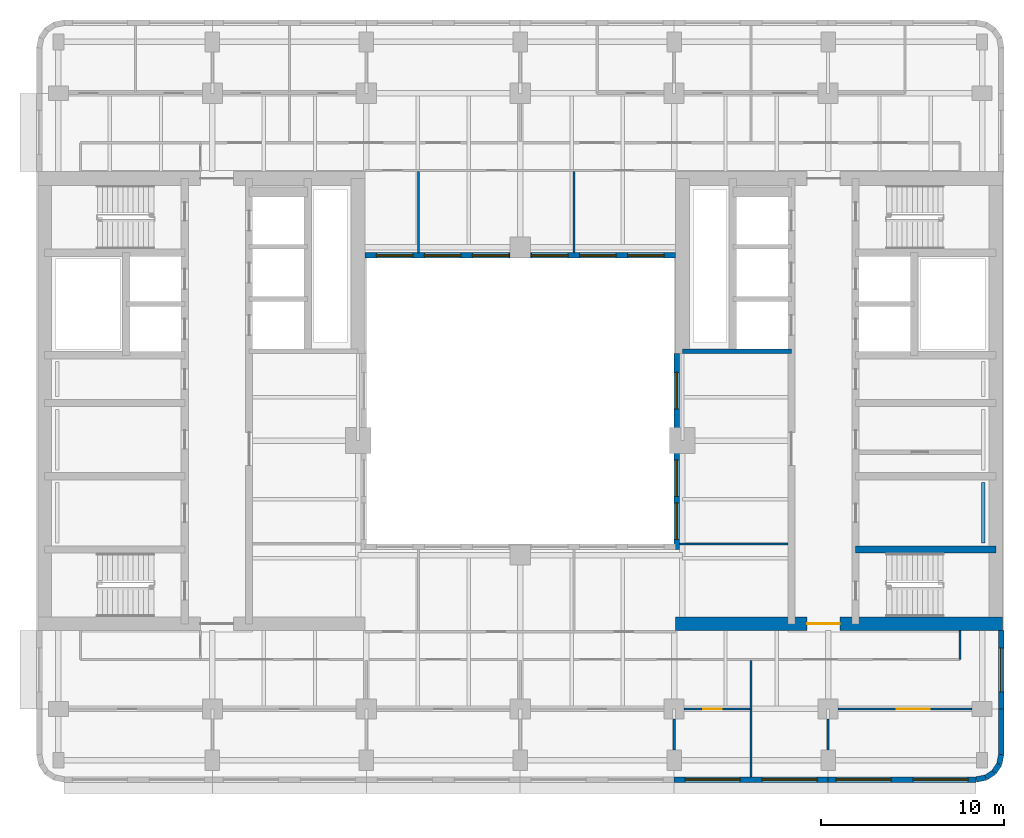
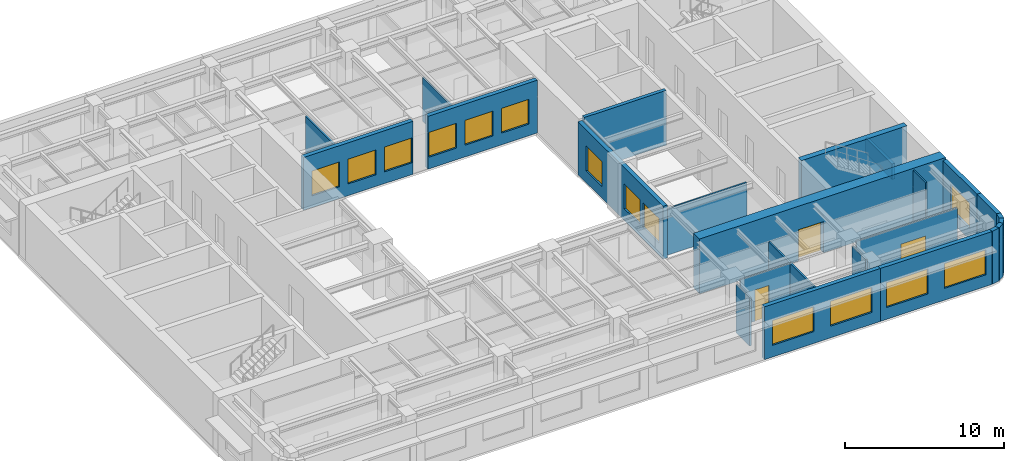
# One storey, part 5 of 11: 25 walls, 14 windows, 3 doors, 17 openings.
"""IFC4 building model written with IfcOpenShell, lengths in metres."""

from ifc_helpers import new_model, si_unit, direction, frame, frame_2d, origin, place, context, subcontext, project, spatial, rectangle, extrude, material, layer, layer_set, type_object, element, fill, save


model = new_model("IFC4")

# Units and contexts
model_context = context("Model", 3, precision=1e-05, world=origin(), true_north=direction((0.0, 1.0)))
body_context = subcontext(model_context, "Body", "Model", "MODEL_VIEW")
ifc_project = project(units=[si_unit("LENGTHUNIT", "METRE"), si_unit("AREAUNIT", "SQUARE_METRE"), si_unit("VOLUMEUNIT", "CUBIC_METRE"), si_unit("PLANEANGLEUNIT", "RADIAN"), si_unit("MASSUNIT", "GRAM", prefix="KILO")], contexts=[model_context])

# Site, building, storey
site_placement = place(None, origin())
site = spatial("IfcSite", under=ifc_project, at=site_placement, CompositionType="ELEMENT")
building_placement = place(site_placement, origin())
building = spatial("IfcBuilding", under=site, at=building_placement, Name="Claustro Exchange Tower", CompositionType="ELEMENT")
storey_placement = place(building_placement, frame((0.0, 0.0, 219.60009765625)))
storey = spatial("IfcBuildingStorey", under=building, at=storey_placement, Name="L50", CompositionType="ELEMENT", Elevation=219.60009765625)

# Wall
ifc_material_1 = material(Name="Laminated glass in aluminium frame", Category="aluminium")
ifc_layer_1 = layer(ifc_material_1, 0.1201171875)
ifc_layer_set_1 = layer_set([ifc_layer_1], Name="Laminated glass in aluminium frame")
wall_type_1 = type_object("IfcWallType", Name="P2 120 glazed partition", PredefinedType="PARTITIONING", material=ifc_layer_set_1)
wall_1_placement = place(storey_placement, frame((33.89794921875, 17.39990234375, 0.0), z_axis=(0.0, 0.0, 1.0), x_axis=(1.0, 0.0, 0.0)))
element("IfcWall", 1, at=wall_1_placement, inside=storey, type_object=wall_type_1, Name="Partition P2 L50", PredefinedType="PARTITIONING", context=body_context, shape_type="SweptSolid", body=[
    extrude(rectangle(XDim=5.904052734375, YDim=0.1201171875, at=frame_2d((2.9521484375, 0.0))), origin(), (0.0, 0.0, 1.0), 3.5498046875),
])

# Wall, opening, door
wall_2_placement = place(storey_placement, frame((34.14892578125, 8.39990234375, 0.0), z_axis=(0.0, 0.0, 1.0), x_axis=(1.0, 0.0, 0.0)))
wall_2 = element("IfcWall", 2, at=wall_2_placement, inside=storey, type_object=wall_type_1, Name="Partition P2 L50", PredefinedType="PARTITIONING", context=body_context, shape_type="SweptSolid", body=[
    extrude(rectangle(XDim=3.593017578125, YDim=0.1201171875, at=frame_2d((1.79638671875, 0.0))), origin(), (0.0, 0.0, 1.0), 3.5498046875),
])
opening_1_placement = place(wall_2_placement, frame((1.051025390625, 0.0, 0.0)))
opening_1 = element("IfcOpeningElement", 3, at=opening_1_placement, cuts=wall_2, Name="Opening D7", PredefinedType="OPENING", context=body_context, shape_type="SweptSolid", body=[
    extrude(rectangle(XDim=1.0, YDim=2.39990234375, at=frame_2d((0.5, 1.199951171875))), frame((0.0, 0.070068359375, 0.0), z_axis=(0.0, -1.0, 0.0), x_axis=(1.0, 0.0, 0.0)), (0.0, 0.0, 1.0), 0.14013671875),
])
ifc_material_2 = material(Name="Glass door in aluminium frame", Category="aluminium")
door_type_1 = type_object("IfcDoorType", Name="D7 1000 x 2400 glazed door", OperationType="SINGLE_SWING_LEFT", PredefinedType="DOOR", material=ifc_material_2)
door_1_placement = place(opening_1_placement, frame((1.0, 0.0, 0.0), z_axis=(0.0, 0.0, 1.0), x_axis=(-1.0, 0.0, 0.0)))
door_1 = element("IfcDoor", 4, at=door_1_placement, inside=storey, type_object=door_type_1, Name="Door D7 L50", OperationType="SINGLE_SWING_LEFT", OverallHeight=2.39990234375, OverallWidth=1.0, PredefinedType="DOOR", context=body_context, shape_type="SweptSolid", body=[
    extrude(rectangle(XDim=1.0, YDim=2.39990234375, at=frame_2d((0.5, 1.199951171875))), frame((0.0, 0.02490234375, 0.0), z_axis=(0.0, -1.0, 0.0), x_axis=(1.0, 0.0, 0.0)), (0.0, 0.0, 1.0), 0.050048828125),
])
fill(opening_1, door_1)

# Walls
wall_3_placement = place(storey_placement, frame((33.60009765625, 6.14892578125, 0.0), z_axis=(0.0, 0.0, 1.0), x_axis=(0.0, 1.0, 0.0)))
element("IfcWall", 5, at=wall_3_placement, inside=storey, type_object=wall_type_1, Name="Partition P2 L50", PredefinedType="PARTITIONING", context=body_context, shape_type="SweptSolid", body=[
    extrude(rectangle(XDim=1.7021484375, YDim=0.1201171875, at=frame_2d((0.85107421875, 0.0))), origin(), (0.0, 0.0, 1.0), 3.68994140625),
])
wall_4_placement = place(storey_placement, frame((37.800048828125, 4.699951171875, 0.0), z_axis=(0.0, 0.0, 1.0), x_axis=(0.0, 1.0, 0.0)))
element("IfcWall", 6, at=wall_4_placement, inside=storey, type_object=wall_type_1, Name="Partition P2 L50", PredefinedType="PARTITIONING", context=body_context, shape_type="SweptSolid", body=[
    extrude(rectangle(XDim=3.7021484375, YDim=0.1201171875, at=frame_2d((1.85107421875, 0.0))), origin(), (0.0, 0.0, 1.0), 3.5498046875),
])

# Wall, opening, door
wall_5_placement = place(storey_placement, frame((42.549072265625, 8.39990234375, 0.0), z_axis=(0.0, 0.0, 1.0), x_axis=(1.0, 0.0, 0.0)))
wall_5 = element("IfcWall", 7, at=wall_5_placement, inside=storey, type_object=wall_type_1, Name="Partition P2 L50", PredefinedType="PARTITIONING", context=body_context, shape_type="SweptSolid", body=[
    extrude(rectangle(XDim=7.302001953125, YDim=0.1201171875, at=frame_2d((3.65087890625, 0.0))), origin(), (0.0, 0.0, 1.0), 3.5498046875),
])
opening_2_placement = place(wall_5_placement, frame((3.200927734375, 0.0, 0.0)))
opening_2 = element("IfcOpeningElement", 8, at=opening_2_placement, cuts=wall_5, Name="Opening D2", PredefinedType="OPENING", context=body_context, shape_type="SweptSolid", body=[
    extrude(rectangle(XDim=1.800048828125, YDim=2.199951171875, at=frame_2d((0.89990234375, 1.10009765625))), frame((0.0, 0.070068359375, 0.0), z_axis=(0.0, -1.0, 0.0), x_axis=(1.0, 0.0, 0.0)), (0.0, 0.0, 1.0), 0.14013671875),
])
ifc_material_3 = material(Name="Timber door, oak veneer", Category="wood")
door_type_2 = type_object("IfcDoorType", Name="D2 1800 x 2200 double door", OperationType="DOUBLE_DOOR_SINGLE_SWING", PredefinedType="DOOR", material=ifc_material_3)
door_2_placement = place(opening_2_placement, frame((1.800048828125, 0.0, 0.0), z_axis=(0.0, 0.0, 1.0), x_axis=(-1.0, 0.0, 0.0)))
door_2 = element("IfcDoor", 9, at=door_2_placement, inside=storey, type_object=door_type_2, Name="Double door D2 L50", OperationType="DOUBLE_DOOR_SINGLE_SWING", OverallHeight=2.199951171875, OverallWidth=1.800048828125, PredefinedType="DOOR", context=body_context, shape_type="SweptSolid", body=[
    extrude(rectangle(XDim=1.800048828125, YDim=2.199951171875, at=frame_2d((0.89990234375, 1.10009765625))), frame((0.0, 0.02490234375, 0.0), z_axis=(0.0, -1.0, 0.0), x_axis=(1.0, 0.0, 0.0)), (0.0, 0.0, 1.0), 0.050048828125),
])
fill(opening_2, door_2)

# Walls
wall_6_placement = place(storey_placement, frame((42.0, 6.14892578125, 0.0), z_axis=(0.0, 0.0, 1.0), x_axis=(0.0, 1.0, 0.0)))
element("IfcWall", 10, at=wall_6_placement, inside=storey, type_object=wall_type_1, Name="Partition P2 L50", PredefinedType="PARTITIONING", context=body_context, shape_type="SweptSolid", body=[
    extrude(rectangle(XDim=1.7021484375, YDim=0.1201171875, at=frame_2d((0.85107421875, 0.0))), origin(), (0.0, 0.0, 1.0), 3.68994140625),
])
wall_7_placement = place(storey_placement, frame((37.800048828125, 8.39794921875, 0.0), z_axis=(0.0, 0.0, 1.0), x_axis=(0.0, 1.0, 0.0)))
element("IfcWall", 11, at=wall_7_placement, inside=storey, type_object=wall_type_1, Name="Partition P2 L50", PredefinedType="PARTITIONING", context=body_context, shape_type="SweptSolid", body=[
    extrude(rectangle(XDim=2.64404296875, YDim=0.1201171875, at=frame_2d((1.322021484375, 0.0))), origin(), (0.0, 0.0, 1.0), 3.5498046875),
])
wall_8_placement = place(storey_placement, frame((49.199951171875, 11.10009765625, 0.0), z_axis=(0.0, 0.0, 1.0), x_axis=(0.0, 1.0, 0.0)))
element("IfcWall", 12, at=wall_8_placement, inside=storey, type_object=wall_type_1, Name="Partition P2 L50", PredefinedType="PARTITIONING", context=body_context, shape_type="SweptSolid", body=[
    extrude(rectangle(XDim=1.575927734375, YDim=0.1201171875, at=frame_2d((0.7880859375, 0.0))), origin(), (0.0, 0.0, 1.0), 4.0498046875),
])
for number, where, z_axis, x_axis, name in (
    (13, (19.64990234375, 33.298095703125, 0.0), (0.0, 0.0, 1.0), (0.0, 1.0, 0.0), "Partition P2 L50"),
    (14, (28.1298828125, 33.298095703125, 0.0), (0.0, 0.0, 1.0), (0.0, 1.0, 0.0), "Partition P2 L50"),
):
    element("IfcWall", number, at=place(storey_placement, frame(where, z_axis=z_axis, x_axis=x_axis)), inside=storey, type_object=wall_type_1, Name=name, PredefinedType="PARTITIONING", context=body_context, shape_type="SweptSolid", body=[
        extrude(rectangle(XDim=4.44384765625, YDim=0.1201171875, at=frame_2d((2.221923828125, 0.0))), origin(), (0.0, 0.0, 1.0), 3.35986328125),
    ])

# Wall, openings, windows
ifc_material_4 = material(Name="Concrete HA-40 (C40/50), precast, white cement, acid-etched", Category="concrete")
ifc_layer_2 = layer(ifc_material_4, 0.300048828125)
ifc_layer_set_2 = layer_set([ifc_layer_2], Name="Concrete HA-40 (C40/50), precast, white cement, acid-etched")
wall_type_2 = type_object("IfcWallType", Name="PC1 300 precast concrete pier panel", PredefinedType="SOLIDWALL", material=ifc_layer_set_2)
wall_9_placement = place(storey_placement, frame((50.085205078125, 4.550048828125, 0.0), z_axis=(0.0, 0.0, 1.0), x_axis=(-1.0, 0.0, 0.0)))
wall_9 = element("IfcWall", 15, at=wall_9_placement, inside=storey, type_object=wall_type_2, Name="Precast pier panel PC1 L50", PredefinedType="SOLIDWALL", context=body_context, shape_type="SweptSolid", body=[
    extrude(rectangle(XDim=8.085205078125, YDim=0.300048828125, at=frame_2d((4.04248046875, 0.0))), origin(), (0.0, 0.0, 1.0), 4.0498046875),
])
opening_3_placement = place(wall_9_placement, frame((0.442626953125, 0.0, 0.89990234375)))
opening_3 = element("IfcOpeningElement", 16, at=opening_3_placement, cuts=wall_9, Name="Opening W1", PredefinedType="OPENING", context=body_context, shape_type="SweptSolid", body=[
    extrude(rectangle(XDim=3.0, YDim=1.89990234375, at=frame_2d((1.5, 0.949951171875))), frame((0.0, 0.159912109375, 0.0), z_axis=(0.0, -1.0, 0.0), x_axis=(1.0, 0.0, 0.0)), (0.0, 0.0, 1.0), 0.320068359375),
])
opening_4_placement = place(wall_9_placement, frame((4.642578125, 0.0, 0.89990234375)))
opening_4 = element("IfcOpeningElement", 17, at=opening_4_placement, cuts=wall_9, Name="Opening W1", PredefinedType="OPENING", context=body_context, shape_type="SweptSolid", body=[
    extrude(rectangle(XDim=3.0, YDim=1.89990234375, at=frame_2d((1.5, 0.949951171875))), frame((0.0, 0.159912109375, 0.0), z_axis=(0.0, -1.0, 0.0), x_axis=(1.0, 0.0, 0.0)), (0.0, 0.0, 1.0), 0.320068359375),
])
ifc_material_5 = material(Name="Aluminium frame, clear double glazing", Category="aluminium")
window_type_1 = type_object("IfcWindowType", Name="W1 3000 x 1900 window", PartitioningType="SINGLE_PANEL", PredefinedType="WINDOW", material=ifc_material_5)
window_1_placement = place(opening_3_placement, origin())
window_1 = element("IfcWindow", 18, at=window_1_placement, inside=storey, type_object=window_type_1, Name="Window W1 L50", OverallHeight=1.89990234375, OverallWidth=3.0, PartitioningType="SINGLE_PANEL", PredefinedType="WINDOW", context=body_context, shape_type="SweptSolid", body=[
    extrude(rectangle(XDim=3.0, YDim=1.89990234375, at=frame_2d((1.5, 0.949951171875))), frame((0.0, 0.030029296875, 0.0), z_axis=(0.0, -1.0, 0.0), x_axis=(1.0, 0.0, 0.0)), (0.0, 0.0, 1.0), 0.06005859375),
])
fill(opening_3, window_1)
window_2_placement = place(opening_4_placement, origin())
window_2 = element("IfcWindow", 19, at=window_2_placement, inside=storey, type_object=window_type_1, Name="Window W1 L50", OverallHeight=1.89990234375, OverallWidth=3.0, PartitioningType="SINGLE_PANEL", PredefinedType="WINDOW", context=body_context, shape_type="SweptSolid", body=[
    extrude(rectangle(XDim=3.0, YDim=1.89990234375, at=frame_2d((1.5, 0.949951171875))), frame((0.0, 0.030029296875, 0.0), z_axis=(0.0, -1.0, 0.0), x_axis=(1.0, 0.0, 0.0)), (0.0, 0.0, 1.0), 0.06005859375),
])
fill(opening_4, window_2)

wall_10_placement = place(storey_placement, frame((42.0, 4.550048828125, 0.0), z_axis=(0.0, 0.0, 1.0), x_axis=(-1.0, 0.0, 0.0)))
wall_10 = element("IfcWall", 20, at=wall_10_placement, inside=storey, type_object=wall_type_2, Name="Precast pier panel PC1 L50", PredefinedType="SOLIDWALL", context=body_context, shape_type="SweptSolid", body=[
    extrude(rectangle(XDim=8.39990234375, YDim=0.300048828125, at=frame_2d((4.199951171875, 0.0))), origin(), (0.0, 0.0, 1.0), 4.0498046875),
])
opening_5_placement = place(wall_10_placement, frame((0.60009765625, 0.0, 0.89990234375)))
opening_5 = element("IfcOpeningElement", 21, at=opening_5_placement, cuts=wall_10, Name="Opening W1", PredefinedType="OPENING", context=body_context, shape_type="SweptSolid", body=[
    extrude(rectangle(XDim=3.0, YDim=1.89990234375, at=frame_2d((1.5, 0.949951171875))), frame((0.0, 0.159912109375, 0.0), z_axis=(0.0, -1.0, 0.0), x_axis=(1.0, 0.0, 0.0)), (0.0, 0.0, 1.0), 0.320068359375),
])
opening_6_placement = place(wall_10_placement, frame((4.800048828125, 0.0, 0.89990234375)))
opening_6 = element("IfcOpeningElement", 22, at=opening_6_placement, cuts=wall_10, Name="Opening W1", PredefinedType="OPENING", context=body_context, shape_type="SweptSolid", body=[
    extrude(rectangle(XDim=3.0, YDim=1.89990234375, at=frame_2d((1.5, 0.949951171875))), frame((0.0, 0.159912109375, 0.0), z_axis=(0.0, -1.0, 0.0), x_axis=(1.0, 0.0, 0.0)), (0.0, 0.0, 1.0), 0.320068359375),
])
window_3_placement = place(opening_5_placement, origin())
window_3 = element("IfcWindow", 23, at=window_3_placement, inside=storey, type_object=window_type_1, Name="Window W1 L50", OverallHeight=1.89990234375, OverallWidth=3.0, PartitioningType="SINGLE_PANEL", PredefinedType="WINDOW", context=body_context, shape_type="SweptSolid", body=[
    extrude(rectangle(XDim=3.0, YDim=1.89990234375, at=frame_2d((1.5, 0.949951171875))), frame((0.0, 0.030029296875, 0.0), z_axis=(0.0, -1.0, 0.0), x_axis=(1.0, 0.0, 0.0)), (0.0, 0.0, 1.0), 0.06005859375),
])
fill(opening_5, window_3)
window_4_placement = place(opening_6_placement, origin())
window_4 = element("IfcWindow", 24, at=window_4_placement, inside=storey, type_object=window_type_1, Name="Window W1 L50", OverallHeight=1.89990234375, OverallWidth=3.0, PartitioningType="SINGLE_PANEL", PredefinedType="WINDOW", context=body_context, shape_type="SweptSolid", body=[
    extrude(rectangle(XDim=3.0, YDim=1.89990234375, at=frame_2d((1.5, 0.949951171875))), frame((0.0, 0.030029296875, 0.0), z_axis=(0.0, -1.0, 0.0), x_axis=(1.0, 0.0, 0.0)), (0.0, 0.0, 1.0), 0.06005859375),
])
fill(opening_6, window_4)

# Wall, opening, window
wall_11_placement = place(storey_placement, frame((51.449951171875, 12.675048828125, 0.0), z_axis=(0.0, 0.0, 1.0), x_axis=(0.0, -1.0, 0.0)))
wall_11 = element("IfcWall", 25, at=wall_11_placement, inside=storey, type_object=wall_type_2, Name="Precast pier panel PC1 L50", PredefinedType="SOLIDWALL", context=body_context, shape_type="SweptSolid", body=[
    extrude(rectangle(XDim=4.275146484375, YDim=0.300048828125, at=frame_2d((2.1376953125, 0.0))), origin(), (0.0, 0.0, 1.0), 4.0498046875),
])
opening_7_placement = place(wall_11_placement, frame((0.9375, 0.0, 0.89990234375)))
opening_7 = element("IfcOpeningElement", 26, at=opening_7_placement, cuts=wall_11, Name="Opening W2", PredefinedType="OPENING", context=body_context, shape_type="SweptSolid", body=[
    extrude(rectangle(XDim=2.39990234375, YDim=1.89990234375, at=frame_2d((1.199951171875, 0.949951171875))), frame((0.0, 0.159912109375, 0.0), z_axis=(0.0, -1.0, 0.0), x_axis=(1.0, 0.0, 0.0)), (0.0, 0.0, 1.0), 0.320068359375),
])
ifc_material_6 = material(Name="Aluminium frame, clear double glazing", Category="aluminium")
window_type_2 = type_object("IfcWindowType", Name="W2 2400 x 1900 window", PartitioningType="SINGLE_PANEL", PredefinedType="WINDOW", material=ifc_material_6)
window_5_placement = place(opening_7_placement, origin())
window_5 = element("IfcWindow", 27, at=window_5_placement, inside=storey, type_object=window_type_2, Name="Window W2 L50", OverallHeight=1.89990234375, OverallWidth=2.39990234375, PartitioningType="SINGLE_PANEL", PredefinedType="WINDOW", context=body_context, shape_type="SweptSolid", body=[
    extrude(rectangle(XDim=2.39990234375, YDim=1.89990234375, at=frame_2d((1.199951171875, 0.949951171875))), frame((0.0, 0.030029296875, 0.0), z_axis=(0.0, -1.0, 0.0), x_axis=(1.0, 0.0, 0.0)), (0.0, 0.0, 1.0), 0.06005859375),
])
fill(opening_7, window_5)

# Walls
wall_12_placement = place(storey_placement, frame((51.449951171875, 8.39990234375, 0.0), z_axis=(0.0, 0.0, 1.0), x_axis=(0.0, -1.0, 0.0)))
element("IfcWall", 28, at=wall_12_placement, inside=storey, type_object=wall_type_2, Name="Precast pier panel PC1 L50", PredefinedType="SOLIDWALL", context=body_context, shape_type="SweptSolid", body=[
    extrude(rectangle(XDim=2.485107421875, YDim=0.300048828125, at=frame_2d((1.24267578125, 0.0))), origin(), (0.0, 0.0, 1.0), 4.0498046875),
])
wall_13_placement = place(storey_placement, frame((51.449951171875, 5.914794921875, 0.0), z_axis=(0.0, 0.0, 1.0), x_axis=(-0.195073962632, -0.980788534345, 0.0)))
element("IfcWall", 29, at=wall_13_placement, inside=storey, type_object=wall_type_2, Name="Precast pier panel PC1 L50", PredefinedType="SOLIDWALL", context=body_context, shape_type="SweptSolid", body=[
    extrude(rectangle(XDim=0.540771484375, YDim=0.300048828125, at=frame_2d((0.2705078125, 0.0))), origin(), (0.0, 0.0, 1.0), 4.0498046875),
])
for number, where, z_axis, x_axis, name in (
    (30, (51.344482421875, 5.384521484375, 0.0), (0.0, 0.0, 1.0), (-0.555557463938, -0.831478144188, 0.0), "Precast pier panel PC1 L50"),
    (31, (51.052490234375, 4.947509765625, 0.0), (0.0, 0.0, 1.0), (-0.831478144188, -0.555557463938, 0.0), "Precast pier panel PC1 L50"),
):
    element("IfcWall", number, at=place(storey_placement, frame(where, z_axis=z_axis, x_axis=x_axis)), inside=storey, type_object=wall_type_2, Name=name, PredefinedType="SOLIDWALL", context=body_context, shape_type="SweptSolid", body=[
        extrude(rectangle(XDim=0.525634765625, YDim=0.300048828125, at=frame_2d((0.2626953125, 0.0))), origin(), (0.0, 0.0, 1.0), 4.0498046875),
    ])
wall_14_placement = place(storey_placement, frame((50.615478515625, 4.655517578125, 0.0), z_axis=(0.0, 0.0, 1.0), x_axis=(-0.980788534345, -0.195073962632, 0.0)))
element("IfcWall", 32, at=wall_14_placement, inside=storey, type_object=wall_type_2, Name="Precast pier panel PC1 L50", PredefinedType="SOLIDWALL", context=body_context, shape_type="SweptSolid", body=[
    extrude(rectangle(XDim=0.540771484375, YDim=0.300048828125, at=frame_2d((0.2705078125, 0.0))), origin(), (0.0, 0.0, 1.0), 4.0498046875),
])

# Wall, openings, windows
wall_15_placement = place(storey_placement, frame((33.75, 17.10009765625, 0.0), z_axis=(0.0, 0.0, 1.0), x_axis=(0.0, 1.0, 0.0)))
wall_15 = element("IfcWall", 33, at=wall_15_placement, inside=storey, type_object=wall_type_2, Name="Precast pier panel PC1 L50", PredefinedType="SOLIDWALL", context=body_context, shape_type="SweptSolid", body=[
    extrude(rectangle(XDim=10.699951171875, YDim=0.300048828125, at=frame_2d((5.35009765625, 0.0))), origin(), (0.0, 0.0, 1.0), 4.0498046875),
])
opening_8_placement = place(wall_15_placement, frame((0.550048828125, 0.0, 0.89990234375)))
opening_8 = element("IfcOpeningElement", 34, at=opening_8_placement, cuts=wall_15, Name="Opening W4", PredefinedType="OPENING", context=body_context, shape_type="SweptSolid", body=[
    extrude(rectangle(XDim=2.0, YDim=1.89990234375, at=frame_2d((1.0, 0.949951171875))), frame((0.0, 0.159912109375, 0.0), z_axis=(0.0, -1.0, 0.0), x_axis=(1.0, 0.0, 0.0)), (0.0, 0.0, 1.0), 0.320068359375),
])
opening_9_placement = place(wall_15_placement, frame((2.89990234375, 0.0, 0.89990234375)))
opening_9 = element("IfcOpeningElement", 35, at=opening_9_placement, cuts=wall_15, Name="Opening W4", PredefinedType="OPENING", context=body_context, shape_type="SweptSolid", body=[
    extrude(rectangle(XDim=2.0, YDim=1.89990234375, at=frame_2d((1.0, 0.949951171875))), frame((0.0, 0.159912109375, 0.0), z_axis=(0.0, -1.0, 0.0), x_axis=(1.0, 0.0, 0.0)), (0.0, 0.0, 1.0), 0.320068359375),
])
opening_10_placement = place(wall_15_placement, frame((7.675048828125, 0.0, 0.89990234375)))
opening_10 = element("IfcOpeningElement", 36, at=opening_10_placement, cuts=wall_15, Name="Opening W4", PredefinedType="OPENING", context=body_context, shape_type="SweptSolid", body=[
    extrude(rectangle(XDim=2.0, YDim=1.89990234375, at=frame_2d((1.0, 0.949951171875))), frame((0.0, 0.159912109375, 0.0), z_axis=(0.0, -1.0, 0.0), x_axis=(1.0, 0.0, 0.0)), (0.0, 0.0, 1.0), 0.320068359375),
])
ifc_material_7 = material(Name="Aluminium frame, clear double glazing", Category="aluminium")
window_type_3 = type_object("IfcWindowType", Name="W4 2000 x 1900 light well window", PartitioningType="SINGLE_PANEL", PredefinedType="WINDOW", material=ifc_material_7)
window_6_placement = place(opening_8_placement, origin())
window_6 = element("IfcWindow", 37, at=window_6_placement, inside=storey, type_object=window_type_3, Name="Window W4 L50", OverallHeight=1.89990234375, OverallWidth=2.0, PartitioningType="SINGLE_PANEL", PredefinedType="WINDOW", context=body_context, shape_type="SweptSolid", body=[
    extrude(rectangle(XDim=2.0, YDim=1.89990234375, at=frame_2d((1.0, 0.949951171875))), frame((0.0, 0.030029296875, 0.0), z_axis=(0.0, -1.0, 0.0), x_axis=(1.0, 0.0, 0.0)), (0.0, 0.0, 1.0), 0.06005859375),
])
fill(opening_8, window_6)
window_7_placement = place(opening_9_placement, origin())
window_7 = element("IfcWindow", 38, at=window_7_placement, inside=storey, type_object=window_type_3, Name="Window W4 L50", OverallHeight=1.89990234375, OverallWidth=2.0, PartitioningType="SINGLE_PANEL", PredefinedType="WINDOW", context=body_context, shape_type="SweptSolid", body=[
    extrude(rectangle(XDim=2.0, YDim=1.89990234375, at=frame_2d((1.0, 0.949951171875))), frame((0.0, 0.030029296875, 0.0), z_axis=(0.0, -1.0, 0.0), x_axis=(1.0, 0.0, 0.0)), (0.0, 0.0, 1.0), 0.06005859375),
])
fill(opening_9, window_7)
window_8_placement = place(opening_10_placement, origin())
window_8 = element("IfcWindow", 39, at=window_8_placement, inside=storey, type_object=window_type_3, Name="Window W4 L50", OverallHeight=1.89990234375, OverallWidth=2.0, PartitioningType="SINGLE_PANEL", PredefinedType="WINDOW", context=body_context, shape_type="SweptSolid", body=[
    extrude(rectangle(XDim=2.0, YDim=1.89990234375, at=frame_2d((1.0, 0.949951171875))), frame((0.0, 0.030029296875, 0.0), z_axis=(0.0, -1.0, 0.0), x_axis=(1.0, 0.0, 0.0)), (0.0, 0.0, 1.0), 0.06005859375),
])
fill(opening_10, window_8)

wall_16_placement = place(storey_placement, frame((16.72509765625, 33.14990234375, 0.0), z_axis=(0.0, 0.0, 1.0), x_axis=(1.0, 0.0, 0.0)))
wall_16 = element("IfcWall", 40, at=wall_16_placement, inside=storey, type_object=wall_type_2, Name="Precast pier panel PC1 L50", PredefinedType="SOLIDWALL", context=body_context, shape_type="SweptSolid", body=[
    extrude(rectangle(XDim=7.9248046875, YDim=0.300048828125, at=frame_2d((3.96240234375, 0.0))), origin(), (0.0, 0.0, 1.0), 4.0498046875),
])
opening_11_placement = place(wall_16_placement, frame((0.61865234375, 0.0, 0.89990234375)))
opening_11 = element("IfcOpeningElement", 41, at=opening_11_placement, cuts=wall_16, Name="Opening W4", PredefinedType="OPENING", context=body_context, shape_type="SweptSolid", body=[
    extrude(rectangle(XDim=2.0, YDim=1.89990234375, at=frame_2d((1.0, 0.949951171875))), frame((0.0, 0.159912109375, 0.0), z_axis=(0.0, -1.0, 0.0), x_axis=(1.0, 0.0, 0.0)), (0.0, 0.0, 1.0), 0.320068359375),
])
opening_12_placement = place(wall_16_placement, frame((3.237548828125, 0.0, 0.89990234375)))
opening_12 = element("IfcOpeningElement", 42, at=opening_12_placement, cuts=wall_16, Name="Opening W4", PredefinedType="OPENING", context=body_context, shape_type="SweptSolid", body=[
    extrude(rectangle(XDim=2.0, YDim=1.89990234375, at=frame_2d((1.0, 0.949951171875))), frame((0.0, 0.159912109375, 0.0), z_axis=(0.0, -1.0, 0.0), x_axis=(1.0, 0.0, 0.0)), (0.0, 0.0, 1.0), 0.320068359375),
])
opening_13_placement = place(wall_16_placement, frame((5.856201171875, 0.0, 0.89990234375)))
opening_13 = element("IfcOpeningElement", 43, at=opening_13_placement, cuts=wall_16, Name="Opening W4", PredefinedType="OPENING", context=body_context, shape_type="SweptSolid", body=[
    extrude(rectangle(XDim=2.0, YDim=1.89990234375, at=frame_2d((1.0, 0.949951171875))), frame((0.0, 0.159912109375, 0.0), z_axis=(0.0, -1.0, 0.0), x_axis=(1.0, 0.0, 0.0)), (0.0, 0.0, 1.0), 0.320068359375),
])
window_9_placement = place(opening_11_placement, origin())
window_9 = element("IfcWindow", 44, at=window_9_placement, inside=storey, type_object=window_type_3, Name="Window W4 L50", OverallHeight=1.89990234375, OverallWidth=2.0, PartitioningType="SINGLE_PANEL", PredefinedType="WINDOW", context=body_context, shape_type="SweptSolid", body=[
    extrude(rectangle(XDim=2.0, YDim=1.89990234375, at=frame_2d((1.0, 0.949951171875))), frame((0.0, 0.030029296875, 0.0), z_axis=(0.0, -1.0, 0.0), x_axis=(1.0, 0.0, 0.0)), (0.0, 0.0, 1.0), 0.06005859375),
])
fill(opening_11, window_9)
window_10_placement = place(opening_12_placement, origin())
window_10 = element("IfcWindow", 45, at=window_10_placement, inside=storey, type_object=window_type_3, Name="Window W4 L50", OverallHeight=1.89990234375, OverallWidth=2.0, PartitioningType="SINGLE_PANEL", PredefinedType="WINDOW", context=body_context, shape_type="SweptSolid", body=[
    extrude(rectangle(XDim=2.0, YDim=1.89990234375, at=frame_2d((1.0, 0.949951171875))), frame((0.0, 0.030029296875, 0.0), z_axis=(0.0, -1.0, 0.0), x_axis=(1.0, 0.0, 0.0)), (0.0, 0.0, 1.0), 0.06005859375),
])
fill(opening_12, window_10)
window_11_placement = place(opening_13_placement, origin())
window_11 = element("IfcWindow", 46, at=window_11_placement, inside=storey, type_object=window_type_3, Name="Window W4 L50", OverallHeight=1.89990234375, OverallWidth=2.0, PartitioningType="SINGLE_PANEL", PredefinedType="WINDOW", context=body_context, shape_type="SweptSolid", body=[
    extrude(rectangle(XDim=2.0, YDim=1.89990234375, at=frame_2d((1.0, 0.949951171875))), frame((0.0, 0.030029296875, 0.0), z_axis=(0.0, -1.0, 0.0), x_axis=(1.0, 0.0, 0.0)), (0.0, 0.0, 1.0), 0.06005859375),
])
fill(opening_13, window_11)

wall_17_placement = place(storey_placement, frame((25.75, 33.14990234375, 0.0), z_axis=(0.0, 0.0, 1.0), x_axis=(1.0, 0.0, 0.0)))
wall_17 = element("IfcWall", 47, at=wall_17_placement, inside=storey, type_object=wall_type_2, Name="Precast pier panel PC1 L50", PredefinedType="SOLIDWALL", context=body_context, shape_type="SweptSolid", body=[
    extrude(rectangle(XDim=7.925048828125, YDim=0.300048828125, at=frame_2d((3.96240234375, 0.0))), origin(), (0.0, 0.0, 1.0), 4.0498046875),
])
opening_14_placement = place(wall_17_placement, frame((0.068603515625, 0.0, 0.89990234375)))
opening_14 = element("IfcOpeningElement", 48, at=opening_14_placement, cuts=wall_17, Name="Opening W4", PredefinedType="OPENING", context=body_context, shape_type="SweptSolid", body=[
    extrude(rectangle(XDim=2.0, YDim=1.89990234375, at=frame_2d((1.0, 0.949951171875))), frame((0.0, 0.159912109375, 0.0), z_axis=(0.0, -1.0, 0.0), x_axis=(1.0, 0.0, 0.0)), (0.0, 0.0, 1.0), 0.320068359375),
])
opening_15_placement = place(wall_17_placement, frame((2.6875, 0.0, 0.89990234375)))
opening_15 = element("IfcOpeningElement", 49, at=opening_15_placement, cuts=wall_17, Name="Opening W4", PredefinedType="OPENING", context=body_context, shape_type="SweptSolid", body=[
    extrude(rectangle(XDim=2.0, YDim=1.89990234375, at=frame_2d((1.0, 0.949951171875))), frame((0.0, 0.159912109375, 0.0), z_axis=(0.0, -1.0, 0.0), x_axis=(1.0, 0.0, 0.0)), (0.0, 0.0, 1.0), 0.320068359375),
])
opening_16_placement = place(wall_17_placement, frame((5.30615234375, 0.0, 0.89990234375)))
opening_16 = element("IfcOpeningElement", 50, at=opening_16_placement, cuts=wall_17, Name="Opening W4", PredefinedType="OPENING", context=body_context, shape_type="SweptSolid", body=[
    extrude(rectangle(XDim=2.0, YDim=1.89990234375, at=frame_2d((1.0, 0.949951171875))), frame((0.0, 0.159912109375, 0.0), z_axis=(0.0, -1.0, 0.0), x_axis=(1.0, 0.0, 0.0)), (0.0, 0.0, 1.0), 0.320068359375),
])
window_12_placement = place(opening_14_placement, origin())
window_12 = element("IfcWindow", 51, at=window_12_placement, inside=storey, type_object=window_type_3, Name="Window W4 L50", OverallHeight=1.89990234375, OverallWidth=2.0, PartitioningType="SINGLE_PANEL", PredefinedType="WINDOW", context=body_context, shape_type="SweptSolid", body=[
    extrude(rectangle(XDim=2.0, YDim=1.89990234375, at=frame_2d((1.0, 0.949951171875))), frame((0.0, 0.030029296875, 0.0), z_axis=(0.0, -1.0, 0.0), x_axis=(1.0, 0.0, 0.0)), (0.0, 0.0, 1.0), 0.06005859375),
])
fill(opening_14, window_12)
window_13_placement = place(opening_15_placement, origin())
window_13 = element("IfcWindow", 52, at=window_13_placement, inside=storey, type_object=window_type_3, Name="Window W4 L50", OverallHeight=1.89990234375, OverallWidth=2.0, PartitioningType="SINGLE_PANEL", PredefinedType="WINDOW", context=body_context, shape_type="SweptSolid", body=[
    extrude(rectangle(XDim=2.0, YDim=1.89990234375, at=frame_2d((1.0, 0.949951171875))), frame((0.0, 0.030029296875, 0.0), z_axis=(0.0, -1.0, 0.0), x_axis=(1.0, 0.0, 0.0)), (0.0, 0.0, 1.0), 0.06005859375),
])
fill(opening_15, window_13)
window_14_placement = place(opening_16_placement, origin())
window_14 = element("IfcWindow", 53, at=window_14_placement, inside=storey, type_object=window_type_3, Name="Window W4 L50", OverallHeight=1.89990234375, OverallWidth=2.0, PartitioningType="SINGLE_PANEL", PredefinedType="WINDOW", context=body_context, shape_type="SweptSolid", body=[
    extrude(rectangle(XDim=2.0, YDim=1.89990234375, at=frame_2d((1.0, 0.949951171875))), frame((0.0, 0.030029296875, 0.0), z_axis=(0.0, -1.0, 0.0), x_axis=(1.0, 0.0, 0.0)), (0.0, 0.0, 1.0), 0.06005859375),
])
fill(opening_16, window_14)

# Wall
ifc_material_8 = material(Name="Gypsum board on steel studs, tiled", Category="steel")
ifc_layer_3 = layer(ifc_material_8, 0.199951171875)
ifc_layer_set_3 = layer_set([ifc_layer_3], Name="Gypsum board on steel studs, tiled")
wall_type_3 = type_object("IfcWallType", Name="PW1 200 WC duct wall", PredefinedType="PLUMBINGWALL", material=ifc_layer_set_3)
wall_18_placement = place(storey_placement, frame((50.47509765625, 17.449951171875, 0.0), z_axis=(0.0, 0.0, 1.0), x_axis=(0.0, 1.0, 0.0)))
element("IfcWall", 54, at=wall_18_placement, inside=storey, type_object=wall_type_3, Name="WC duct wall PW1 L50", PredefinedType="PLUMBINGWALL", context=body_context, shape_type="SweptSolid", body=[
    extrude(rectangle(XDim=3.300048828125, YDim=0.199951171875, at=frame_2d((1.64990234375, 0.0))), origin(), (0.0, 0.0, 1.0), 1.199951171875),
])

# Wall, opening, door
ifc_material_9 = material(Name="Concrete HA-70 (C70/85)", Category="concrete")
ifc_layer_4 = layer(ifc_material_9, 0.75)
ifc_layer_set_4 = layer_set([ifc_layer_4], Name="Concrete HA-70 (C70/85)")
wall_type_4 = type_object("IfcWallType", Name="SW2 750 core shear wall", PredefinedType="SHEAR", material=ifc_layer_set_4)
wall_19_placement = place(storey_placement, frame((33.675048828125, 13.050048828125, 0.0), z_axis=(0.0, 0.0, 1.0), x_axis=(1.0, 0.0, 0.0)))
wall_19 = element("IfcWall", 55, at=wall_19_placement, inside=storey, type_object=wall_type_4, Name="Core wall SW2 E core S face L50", PredefinedType="SHEAR", context=body_context, shape_type="SweptSolid", body=[
    extrude(rectangle(XDim=17.849853515625, YDim=0.75, at=frame_2d((8.9248046875, 0.0))), origin(), (0.0, 0.0, 1.0), 4.199951171875),
])
opening_17_placement = place(wall_19_placement, frame((7.175048828125, 0.0, 0.0)))
opening_17 = element("IfcOpeningElement", 56, at=opening_17_placement, cuts=wall_19, Name="Opening D3", PredefinedType="OPENING", context=body_context, shape_type="SweptSolid", body=[
    extrude(rectangle(XDim=1.800048828125, YDim=2.39990234375, at=frame_2d((0.89990234375, 1.199951171875))), frame((0.0, 0.385009765625, 0.0), z_axis=(0.0, -1.0, 0.0), x_axis=(1.0, 0.0, 0.0)), (0.0, 0.0, 1.0), 0.77001953125),
])
ifc_material_10 = material(Name="Steel fire door, painted", Category="steel")
door_type_3 = type_object("IfcDoorType", Name="D3 1800 x 2400 fire-rated lobby double door", OperationType="DOUBLE_DOOR_SINGLE_SWING", PredefinedType="DOOR", material=ifc_material_10)
door_3_placement = place(opening_17_placement, origin())
door_3 = element("IfcDoor", 57, at=door_3_placement, inside=storey, type_object=door_type_3, Name="Lift lobby door D3 L50", OperationType="DOUBLE_DOOR_SINGLE_SWING", OverallHeight=2.39990234375, OverallWidth=1.800048828125, PredefinedType="DOOR", context=body_context, shape_type="SweptSolid", body=[
    extrude(rectangle(XDim=1.800048828125, YDim=2.39990234375, at=frame_2d((0.89990234375, 1.199951171875))), frame((0.0, 0.02490234375, 0.0), z_axis=(0.0, -1.0, 0.0), x_axis=(1.0, 0.0, 0.0)), (0.0, 0.0, 1.0), 0.050048828125),
])
fill(opening_17, door_3)

# Walls
ifc_material_11 = material(Name="Concrete HA-50 (C50/60)", Category="concrete")
ifc_layer_5 = layer(ifc_material_11, 0.39990234375)
ifc_layer_set_5 = layer_set([ifc_layer_5], Name="Concrete HA-50 (C50/60)")
wall_type_5 = type_object("IfcWallType", Name="SW4 400 internal core wall", PredefinedType="SHEAR", material=ifc_layer_set_5)
wall_20_placement = place(storey_placement, frame((51.14990234375, 17.10009765625, 0.0), z_axis=(0.0, 0.0, 1.0), x_axis=(-1.0, 0.0, 0.0)))
element("IfcWall", 58, at=wall_20_placement, inside=storey, type_object=wall_type_5, Name="Internal core wall SW4 E core L50", PredefinedType="SHEAR", context=body_context, shape_type="SweptSolid", body=[
    extrude(rectangle(XDim=7.64990234375, YDim=0.39990234375, at=frame_2d((3.824951171875, 0.0))), origin(), (0.0, 0.0, 1.0), 4.199951171875),
])
ifc_material_12 = material(Name="Concrete HA-50 (C50/60)", Category="concrete")
ifc_layer_6 = layer(ifc_material_12, 0.25)
ifc_layer_set_6 = layer_set([ifc_layer_6], Name="Concrete HA-50 (C50/60)")
wall_type_6 = type_object("IfcWallType", Name="SW5 250 lift shaft divider wall", PredefinedType="SHEAR", material=ifc_layer_set_6)
wall_21_placement = place(storey_placement, frame((40.0, 27.925048828125, 0.0), z_axis=(0.0, 0.0, 1.0), x_axis=(-1.0, 0.0, 0.0)))
element("IfcWall", 59, at=wall_21_placement, inside=storey, type_object=wall_type_6, Name="Core step wall E core L50", PredefinedType="SHEAR", context=body_context, shape_type="SweptSolid", body=[
    extrude(rectangle(XDim=5.949951171875, YDim=0.25, at=frame_2d((2.97509765625, 0.0))), origin(), (0.0, 0.0, 1.0), 4.199951171875),
])

save(model, "model.ifc")
